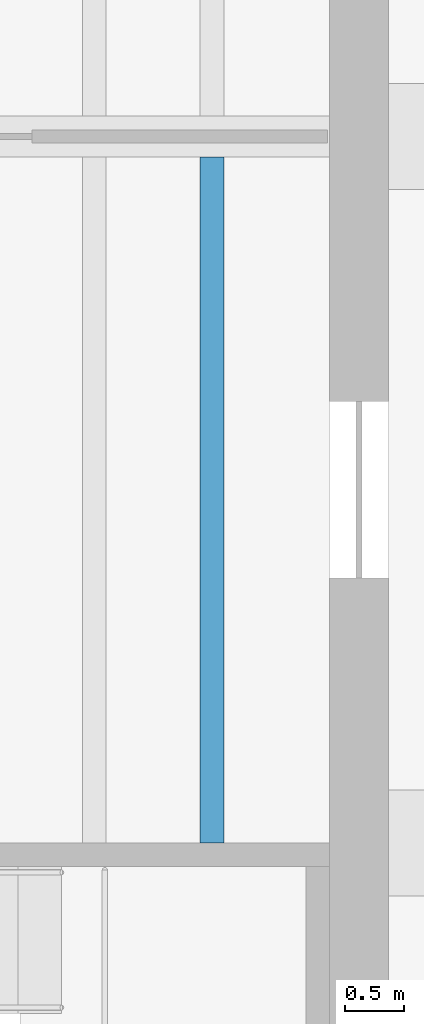
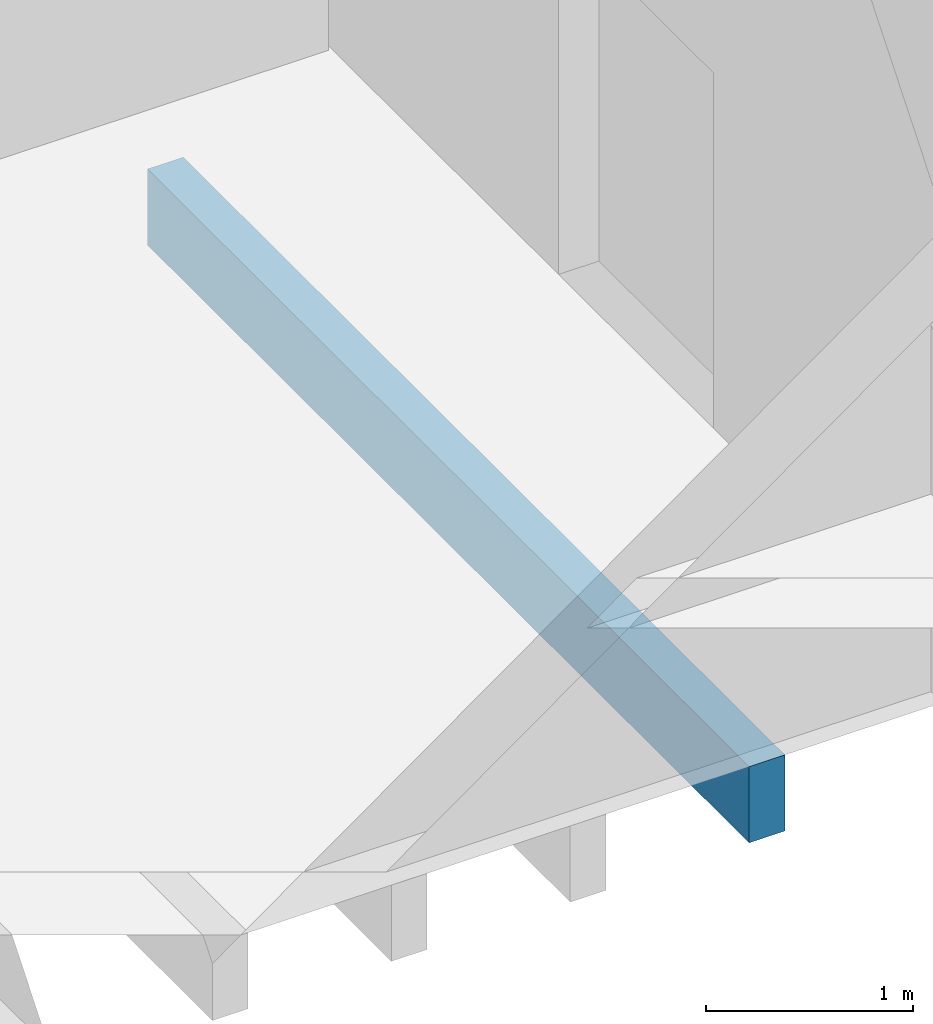
# One storey, part 9 of 80: 1 beam.
"""IFC4 building model written with IfcOpenShell, lengths in metres."""

from ifc_helpers import new_model, si_unit, direction, frame, origin, origin_2d, place, context, subcontext, project, spatial, rectangle, extrude, material, material_profile, profile_set, type_object, element, save


model = new_model("IFC4")

# Units and contexts
model_context = context("Model", 3, precision=1e-05, world=origin(), true_north=direction((0.0, 1.0)))
body_context = subcontext(model_context, "Body", "Model", "MODEL_VIEW")
ifc_project = project(units=[si_unit("LENGTHUNIT", "METRE"), si_unit("AREAUNIT", "SQUARE_METRE"), si_unit("VOLUMEUNIT", "CUBIC_METRE"), si_unit("PLANEANGLEUNIT", "RADIAN"), si_unit("MASSUNIT", "GRAM", prefix="KILO")], contexts=[model_context])

# Site, building, storey
site_placement = place(None, origin())
site = spatial("IfcSite", under=ifc_project, at=site_placement, CompositionType="ELEMENT")
building_placement = place(site_placement, origin())
building = spatial("IfcBuilding", under=site, at=building_placement, Name="Saffron Lane Theatres", CompositionType="ELEMENT")
storey_placement = place(building_placement, frame((0.0, 0.0, 7.0)))
storey = spatial("IfcBuildingStorey", under=building, at=storey_placement, Name="L01", CompositionType="ELEMENT", Elevation=7.0)

# Beam
ifc_material = material(Name="Concrete N40 (40 MPa)", Category="concrete")
ifc_material_profile = material_profile(ifc_material, rectangle(XDim=0.199951171875, YDim=0.449951171875, at=origin_2d()))
ifc_profile_set = profile_set([ifc_material_profile], Name="Concrete N40 (40 MPa)")
beam_type = type_object("IfcBeamType", Name="RC-JOIST 200x450", PredefinedType="JOIST", material=ifc_profile_set)
beam_placement = place(storey_placement, frame((17.0, 42.0, -0.47509765625), z_axis=(0.0, 1.0, 0.0), x_axis=(-1.0, 0.0, 0.0)))
element("IfcBeam", 1, at=beam_placement, inside=storey, type_object=beam_type, Name="joist-L01-y1700-420", PredefinedType="JOIST", context=body_context, shape_type="SweptSolid", body=[
    extrude(rectangle(XDim=0.199951171875, YDim=0.449951171875, at=origin_2d()), origin(), (0.0, 0.0, 1.0), 5.824951171875),
])

save(model, "model.ifc")
